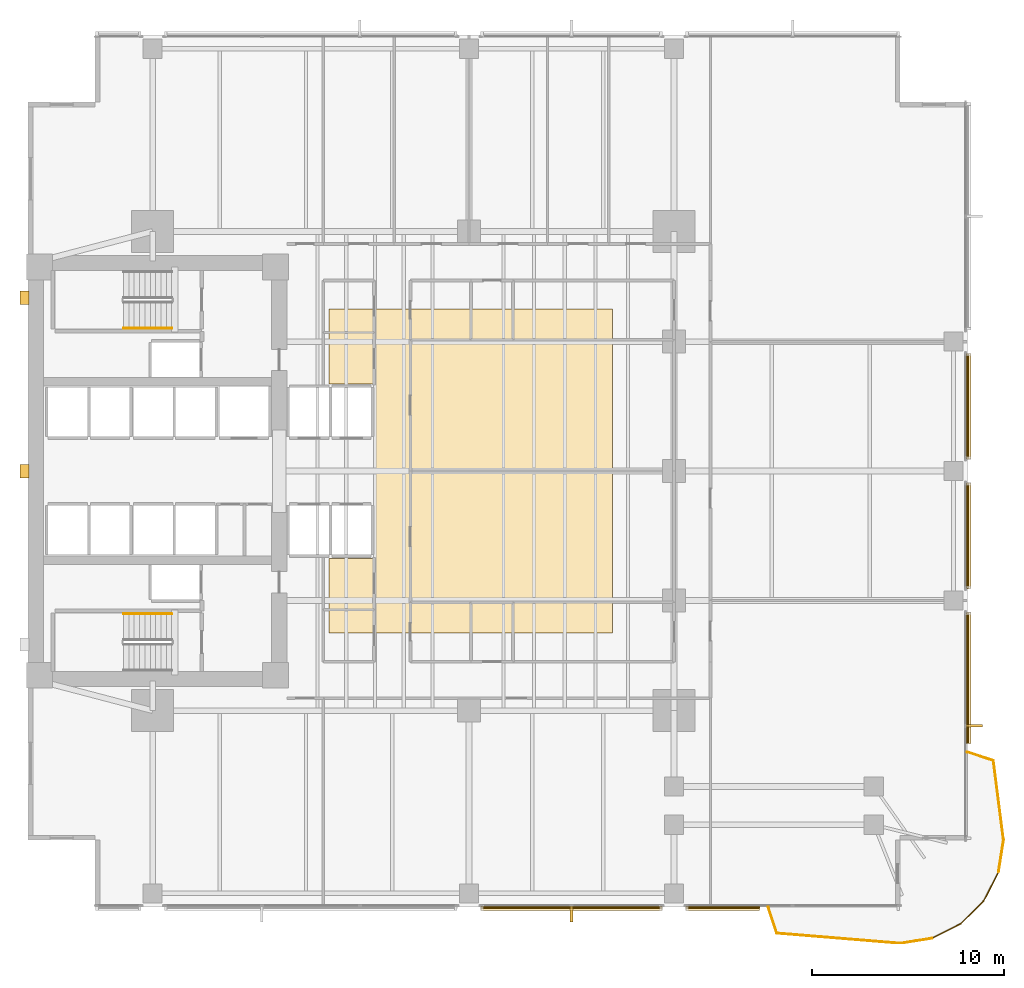
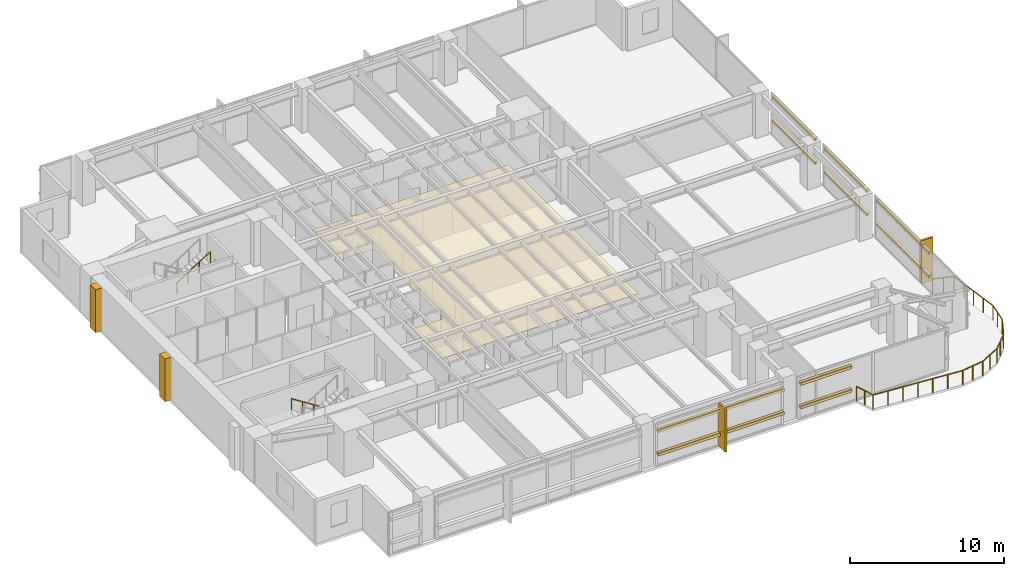
# One storey, part 13 of 15: 15 coverings, 11 railings, 10 shading devices.
"""IFC4 building model written with IfcOpenShell, lengths in metres."""

from ifc_helpers import new_model, si_unit, direction, frame, origin, origin_2d, place, context, subcontext, project, spatial, polyline, rectangle, circle, outline, extrude, material, layer, layer_set, material_profile, profile_set, type_object, element, save


model = new_model("IFC4")

# Units and contexts
model_context = context("Model", 3, precision=1e-05, world=origin(), true_north=direction((0.0, 1.0)))
body_context = subcontext(model_context, "Body", "Model", "MODEL_VIEW")
ifc_project = project(units=[si_unit("LENGTHUNIT", "METRE"), si_unit("AREAUNIT", "SQUARE_METRE"), si_unit("VOLUMEUNIT", "CUBIC_METRE"), si_unit("PLANEANGLEUNIT", "RADIAN"), si_unit("MASSUNIT", "GRAM", prefix="KILO")], contexts=[model_context])

# Site, building, storey
site_placement = place(None, origin())
site = spatial("IfcSite", under=ifc_project, at=site_placement, CompositionType="ELEMENT")
building_placement = place(site_placement, origin())
building = spatial("IfcBuilding", under=site, at=building_placement, Name="Kinhvarn Gate Tower", CompositionType="ELEMENT")
storey_placement = place(building_placement, frame((0.0, 0.0, 46.89990234375)))
storey = spatial("IfcBuildingStorey", under=building, at=storey_placement, Name="L11", CompositionType="ELEMENT", Elevation=46.89990234375)

# Coverings
ifc_material_1 = material(Name="Fired architectural terracotta", Category="masonry")
ifc_layer_1 = layer(ifc_material_1, 0.239990234375)
ifc_layer_set_1 = layer_set([ifc_layer_1], Name="Fired architectural terracotta")
covering_type_1 = type_object("IfcCoveringType", Name="COV-BAG-220", PredefinedType="CLADDING", material=ifc_layer_set_1)
for number, where, name in (
    (1, (0.0, 0.0, 0.940185546875), "Terracotta Horizontal Sunscreen Band TBG-220 (L11)"),
    (2, (0.0, 0.0, 2.81005859375), "Terracotta Horizontal Sunscreen Band TBG-220 (L11)"),
):
    element("IfcCovering", number, at=place(storey_placement, frame(where)), inside=storey, type_object=covering_type_1, Name=name, PredefinedType="CLADDING", context=body_context, shape_type="SweptSolid", body=[
        extrude(outline(polyline([(28.1201171875, 2.56005859375), (37.580078125, 2.56005859375), (37.580078125, 2.320068359375), (28.1201171875, 2.320068359375), (28.1201171875, 2.56005859375)])), origin(), (0.0, 0.0, 1.0), 0.219970703125),
    ])
for number, where, name in (
    (3, (0.0, 0.0, 0.940185546875), "Terracotta Horizontal Sunscreen Band TBG-220 (L11)"),
    (4, (0.0, 0.0, 2.81005859375), "Terracotta Horizontal Sunscreen Band TBG-220 (L11)"),
):
    element("IfcCovering", number, at=place(storey_placement, frame(where)), inside=storey, type_object=covering_type_1, Name=name, PredefinedType="CLADDING", context=body_context, shape_type="SweptSolid", body=[
        extrude(outline(polyline([(38.820068359375, 2.56005859375), (42.6640625, 2.56005859375), (42.6640625, 2.320068359375), (38.820068359375, 2.320068359375), (38.820068359375, 2.56005859375)])), origin(), (0.0, 0.0, 1.0), 0.219970703125),
    ])
for number, where, name in (
    (5, (0.0, 0.0, 0.940185546875), "Terracotta Horizontal Sunscreen Band TBG-220 (L11)"),
    (6, (0.0, 0.0, 2.81005859375), "Terracotta Horizontal Sunscreen Band TBG-220 (L11)"),
):
    element("IfcCovering", number, at=place(storey_placement, frame(where)), inside=storey, type_object=covering_type_1, Name=name, PredefinedType="CLADDING", context=body_context, shape_type="SweptSolid", body=[
        extrude(outline(polyline([(53.43994140625, 11.0400390625), (53.43994140625, 17.8798828125), (53.679931640625, 17.8798828125), (53.679931640625, 11.0400390625), (53.43994140625, 11.0400390625)])), origin(), (0.0, 0.0, 1.0), 0.219970703125),
    ])
for number, where, name in (
    (7, (0.0, 0.0, 0.940185546875), "Terracotta Horizontal Sunscreen Band TBG-220 (L11)"),
    (8, (0.0, 0.0, 2.81005859375), "Terracotta Horizontal Sunscreen Band TBG-220 (L11)"),
):
    element("IfcCovering", number, at=place(storey_placement, frame(where)), inside=storey, type_object=covering_type_1, Name=name, PredefinedType="CLADDING", context=body_context, shape_type="SweptSolid", body=[
        extrude(outline(polyline([(53.43994140625, 19.1201171875), (53.43994140625, 24.6298828125), (53.679931640625, 24.6298828125), (53.679931640625, 19.1201171875), (53.43994140625, 19.1201171875)])), origin(), (0.0, 0.0, 1.0), 0.219970703125),
    ])
for number, where, name in (
    (9, (0.0, 0.0, 0.940185546875), "Terracotta Horizontal Sunscreen Band TBG-220 (L11)"),
    (10, (0.0, 0.0, 2.81005859375), "Terracotta Horizontal Sunscreen Band TBG-220 (L11)"),
):
    element("IfcCovering", number, at=place(storey_placement, frame(where)), inside=storey, type_object=covering_type_1, Name=name, PredefinedType="CLADDING", context=body_context, shape_type="SweptSolid", body=[
        extrude(outline(polyline([(53.43994140625, 25.8701171875), (53.43994140625, 31.3798828125), (53.679931640625, 31.3798828125), (53.679931640625, 25.8701171875), (53.43994140625, 25.8701171875)])), origin(), (0.0, 0.0, 1.0), 0.219970703125),
    ])
ifc_material_2 = material(Name="Mineral-fibre acoustic ceiling tile")
ifc_layer_2 = layer(ifc_material_2, 0.02001953125)
ifc_layer_set_2 = layer_set([ifc_layer_2], Name="Mineral-fibre acoustic ceiling tile")
covering_type_2 = type_object("IfcCoveringType", Name="COV-CEIL-20", PredefinedType="CEILING", material=ifc_layer_set_2)
covering_1_placement = place(storey_placement, frame((0.0, 0.0, 2.650146484375)))
element("IfcCovering", 11, at=covering_1_placement, inside=storey, type_object=covering_type_2, Name="Suspended Acoustic Ceiling Tile (L11-1)", PredefinedType="CEILING", context=body_context, shape_type="SweptSolid", body=[
    extrude(outline(polyline([(35.0, 33.699951171875), (35.0, 16.800048828125), (20.199951171875, 16.800048828125), (20.199951171875, 20.699951171875), (22.60009765625, 20.699951171875), (22.60009765625, 29.800048828125), (20.199951171875, 29.800048828125), (20.199951171875, 33.699951171875), (35.0, 33.699951171875)])), origin(), (0.0, 0.0, 1.0), 0.02001953125),
])
ifc_layer_3 = layer(ifc_material_1, 0.139892578125)
ifc_layer_set_3 = layer_set([ifc_layer_3], Name="Fired architectural terracotta")
covering_type_3 = type_object("IfcCoveringType", Name="COV-FIN-850", PredefinedType="CLADDING", material=ifc_layer_set_3)
covering_2_placement = place(storey_placement, frame((0.0, 0.0, -0.02001953125)))
element("IfcCovering", 12, at=covering_2_placement, inside=storey, type_object=covering_type_3, Name="Vertical Terracotta Expressive Fin TFN-850 (L11)", PredefinedType="CLADDING", context=body_context, shape_type="SweptSolid", body=[
    extrude(outline(polyline([(32.780029296875, 2.570068359375), (32.919921875, 2.570068359375), (32.919921875, 1.719970703125), (32.780029296875, 1.719970703125), (32.780029296875, 2.570068359375)])), origin(), (0.0, 0.0, 1.0), 3.41015625),
])
covering_3_placement = place(storey_placement, frame((0.0, 0.0, -0.02001953125)))
element("IfcCovering", 13, at=covering_3_placement, inside=storey, type_object=covering_type_3, Name="Vertical Terracotta Expressive Fin TFN-850 (L11)", PredefinedType="CLADDING", context=body_context, shape_type="SweptSolid", body=[
    extrude(outline(polyline([(53.429931640625, 11.889892578125), (53.429931640625, 12.030029296875), (54.280029296875, 12.030029296875), (54.280029296875, 11.889892578125), (53.429931640625, 11.889892578125)])), origin(), (0.0, 0.0, 1.0), 3.41015625),
])
ifc_material_3 = material(Name="Precast white architectural concrete C40/50", Category="concrete")
ifc_layer_4 = layer(ifc_material_3, 0.47998046875)
ifc_layer_set_4 = layer_set([ifc_layer_4], Name="Precast white architectural concrete C40/50")
covering_type_4 = type_object("IfcCoveringType", Name="COV-RIB-450", PredefinedType="CLADDING", material=ifc_layer_set_4)
covering_4_placement = place(storey_placement, frame((0.0, 0.0, -0.02001953125)))
element("IfcCovering", 14, at=covering_4_placement, inside=storey, type_object=covering_type_4, Name="West Core Sculptural Concrete Relief Rib CRB-450 (L11)", PredefinedType="CLADDING", context=body_context, shape_type="SweptSolid", body=[
    extrude(outline(polyline([(4.080078125, 24.89990234375), (4.56005859375, 24.89990234375), (4.56005859375, 25.60009765625), (4.080078125, 25.60009765625), (4.080078125, 24.89990234375)])), origin(), (0.0, 0.0, 1.0), 3.41015625),
])
covering_5_placement = place(storey_placement, frame((0.0, 0.0, -0.02001953125)))
element("IfcCovering", 15, at=covering_5_placement, inside=storey, type_object=covering_type_4, Name="West Core Sculptural Concrete Relief Rib CRB-450 (L11)", PredefinedType="CLADDING", context=body_context, shape_type="SweptSolid", body=[
    extrude(outline(polyline([(4.080078125, 33.949951171875), (4.56005859375, 33.949951171875), (4.56005859375, 34.64990234375), (4.080078125, 34.64990234375), (4.080078125, 33.949951171875)])), origin(), (0.0, 0.0, 1.0), 3.41015625),
])

# Railings
ifc_material_4 = material(Name="Clear low-e double glazing", Category="glass")
railing_type_1 = type_object("IfcRailingType", Name="RL-BAL-1150", PredefinedType="BALUSTRADE", material=ifc_material_4)
railing_1_placement = place(storey_placement, frame((43.114013671875, 2.5, 0.0)))
element("IfcRailing", 16, at=railing_1_placement, inside=storey, type_object=railing_type_1, Name="S-Carve Balcony Guardrail Seg 1 (L11)", PredefinedType="BALUSTRADE", context=body_context, shape_type="SweptSolid", body=[
    extrude(circle(Radius=0.02392578125, at=origin_2d()), frame((0.0, 0.0, 1.1259765625), z_axis=(0.314079693842, -0.949396622027, 0.0), x_axis=(0.949396622027, 0.314079693842, 0.0)), (0.0, 0.0, 1.0), 1.4326171875),
    extrude(circle(Radius=0.02099609375, at=origin_2d()), origin(), (0.0, 0.0, 1.0), 1.101806640625),
    extrude(circle(Radius=0.02099609375, at=origin_2d()), frame((0.22509765625, -0.68017578125, 0.0)), (0.0, 0.0, 1.0), 1.101806640625),
    extrude(circle(Radius=0.02099609375, at=origin_2d()), frame((0.449951171875, -1.360107421875, 0.0)), (0.0, 0.0, 1.0), 1.101806640625),
])
railing_2_placement = place(storey_placement, frame((43.56396484375, 1.139892578125, 0.0)))
element("IfcRailing", 17, at=railing_2_placement, inside=storey, type_object=railing_type_1, Name="S-Carve Balcony Guardrail Seg 2 (L11)", PredefinedType="BALUSTRADE", context=body_context, shape_type="SweptSolid", body=[
    extrude(circle(Radius=0.02392578125, at=origin_2d()), frame((0.0, 0.0, 1.1259765625), z_axis=(0.996641556312, -0.081887778278, 0.0), x_axis=(0.081887778278, 0.996641556312, 0.0)), (0.0, 0.0, 1.0), 6.457763671875),
    extrude(circle(Radius=0.02099609375, at=origin_2d()), origin(), (0.0, 0.0, 1.0), 1.101806640625),
    extrude(circle(Radius=0.02099609375, at=origin_2d()), frame((1.07275390625, -0.088134765625, 0.0)), (0.0, 0.0, 1.0), 1.101806640625),
    extrude(circle(Radius=0.02099609375, at=origin_2d()), frame((2.145263671875, -0.17626953125, 0.0)), (0.0, 0.0, 1.0), 1.101806640625),
    extrude(circle(Radius=0.02099609375, at=origin_2d()), frame((3.218017578125, -0.264404296875, 0.0)), (0.0, 0.0, 1.0), 1.101806640625),
    extrude(circle(Radius=0.02099609375, at=origin_2d()), frame((4.290771484375, -0.3525390625, 0.0)), (0.0, 0.0, 1.0), 1.101806640625),
    extrude(circle(Radius=0.02099609375, at=origin_2d()), frame((5.36328125, -0.440673828125, 0.0)), (0.0, 0.0, 1.0), 1.101806640625),
    extrude(circle(Radius=0.02099609375, at=origin_2d()), frame((6.43603515625, -0.52880859375, 0.0)), (0.0, 0.0, 1.0), 1.101806640625),
])
railing_3_placement = place(storey_placement, frame((50.0, 0.611083984375, 0.0)))
element("IfcRailing", 18, at=railing_3_placement, inside=storey, type_object=railing_type_1, Name="S-Carve Balcony Guardrail Seg 3 (L11)", PredefinedType="BALUSTRADE", context=body_context, shape_type="SweptSolid", body=[
    extrude(circle(Radius=0.02392578125, at=origin_2d()), frame((0.0, 0.0, 1.1259765625), z_axis=(0.987695952288, 0.156386399131, 0.0), x_axis=(-0.156386399131, 0.987695952288, 0.0)), (0.0, 0.0, 1.0), 1.68603515625),
    extrude(circle(Radius=0.02099609375, at=origin_2d()), origin(), (0.0, 0.0, 1.0), 1.101806640625),
    extrude(circle(Radius=0.02099609375, at=origin_2d()), frame((0.83251953125, 0.1318359375, 0.0)), (0.0, 0.0, 1.0), 1.101806640625),
    extrude(circle(Radius=0.02099609375, at=origin_2d()), frame((1.665283203125, 0.263671875, 0.0)), (0.0, 0.0, 1.0), 1.101806640625),
])
railing_4_placement = place(storey_placement, frame((51.665283203125, 0.874755859375, 0.0)))
element("IfcRailing", 19, at=railing_4_placement, inside=storey, type_object=railing_type_1, Name="S-Carve Balcony Guardrail Seg 4 (L11)", PredefinedType="BALUSTRADE", context=body_context, shape_type="SweptSolid", body=[
    extrude(circle(Radius=0.02392578125, at=origin_2d()), frame((0.0, 0.0, 1.1259765625), z_axis=(0.891012972849, 0.453977843309, 0.0), x_axis=(-0.453977843309, 0.891012972849, 0.0)), (0.0, 0.0, 1.0), 1.68603515625),
    extrude(circle(Radius=0.02099609375, at=origin_2d()), origin(), (0.0, 0.0, 1.0), 1.101806640625),
    extrude(circle(Radius=0.02099609375, at=origin_2d()), frame((0.7509765625, 0.3828125, 0.0)), (0.0, 0.0, 1.0), 1.101806640625),
    extrude(circle(Radius=0.02099609375, at=origin_2d()), frame((1.502197265625, 0.765380859375, 0.0)), (0.0, 0.0, 1.0), 1.101806640625),
])
railing_5_placement = place(storey_placement, frame((53.16748046875, 1.64013671875, 0.0)))
element("IfcRailing", 20, at=railing_5_placement, inside=storey, type_object=railing_type_1, Name="S-Carve Balcony Guardrail Seg 5 (L11)", PredefinedType="BALUSTRADE", context=body_context, shape_type="SweptSolid", body=[
    extrude(circle(Radius=0.02392578125, at=origin_2d()), frame((0.0, 0.0, 1.1259765625), z_axis=(0.707106781187, 0.707106781187, 0.0), x_axis=(-0.707106781187, 0.707106781187, 0.0)), (0.0, 0.0, 1.0), 1.686279296875),
    extrude(circle(Radius=0.02099609375, at=origin_2d()), origin(), (0.0, 0.0, 1.0), 1.101806640625),
    extrude(circle(Radius=0.02099609375, at=origin_2d()), frame((0.59619140625, 0.59619140625, 0.0)), (0.0, 0.0, 1.0), 1.101806640625),
    extrude(circle(Radius=0.02099609375, at=origin_2d()), frame((1.1923828125, 1.1923828125, 0.0)), (0.0, 0.0, 1.0), 1.101806640625),
])
railing_6_placement = place(storey_placement, frame((54.35986328125, 2.83251953125, 0.0)))
element("IfcRailing", 21, at=railing_6_placement, inside=storey, type_object=railing_type_1, Name="S-Carve Balcony Guardrail Seg 6 (L11)", PredefinedType="BALUSTRADE", context=body_context, shape_type="SweptSolid", body=[
    extrude(circle(Radius=0.02392578125, at=origin_2d()), frame((0.0, 0.0, 1.1259765625), z_axis=(0.453977843309, 0.891012972849, 0.0), x_axis=(-0.891012972849, 0.453977843309, 0.0)), (0.0, 0.0, 1.0), 1.68603515625),
    extrude(circle(Radius=0.02099609375, at=origin_2d()), origin(), (0.0, 0.0, 1.0), 1.101806640625),
    extrude(circle(Radius=0.02099609375, at=origin_2d()), frame((0.3828125, 0.7509765625, 0.0)), (0.0, 0.0, 1.0), 1.101806640625),
    extrude(circle(Radius=0.02099609375, at=origin_2d()), frame((0.765380859375, 1.502197265625, 0.0)), (0.0, 0.0, 1.0), 1.101806640625),
])
railing_7_placement = place(storey_placement, frame((55.125244140625, 4.334716796875, 0.0)))
element("IfcRailing", 22, at=railing_7_placement, inside=storey, type_object=railing_type_1, Name="S-Carve Balcony Guardrail Seg 7 (L11)", PredefinedType="BALUSTRADE", context=body_context, shape_type="SweptSolid", body=[
    extrude(circle(Radius=0.02392578125, at=origin_2d()), frame((0.0, 0.0, 1.1259765625), z_axis=(0.156386399131, 0.987695952288, 0.0), x_axis=(-0.987695952288, 0.156386399131, 0.0)), (0.0, 0.0, 1.0), 1.68603515625),
    extrude(circle(Radius=0.02099609375, at=origin_2d()), origin(), (0.0, 0.0, 1.0), 1.101806640625),
    extrude(circle(Radius=0.02099609375, at=origin_2d()), frame((0.1318359375, 0.83251953125, 0.0)), (0.0, 0.0, 1.0), 1.101806640625),
    extrude(circle(Radius=0.02099609375, at=origin_2d()), frame((0.263671875, 1.665283203125, 0.0)), (0.0, 0.0, 1.0), 1.101806640625),
])
railing_8_placement = place(storey_placement, frame((55.388916015625, 6.0, 0.0)))
element("IfcRailing", 23, at=railing_8_placement, inside=storey, type_object=railing_type_1, Name="S-Carve Balcony Guardrail Seg 8 (L11)", PredefinedType="BALUSTRADE", context=body_context, shape_type="SweptSolid", body=[
    extrude(circle(Radius=0.02392578125, at=origin_2d()), frame((0.0, 0.0, 1.1259765625), z_axis=(-0.12670536644, 0.991940396453, 0.0), x_axis=(-0.991940396453, -0.12670536644, 0.0)), (0.0, 0.0, 1.0), 4.173583984375),
    extrude(circle(Radius=0.02099609375, at=origin_2d()), origin(), (0.0, 0.0, 1.0), 1.101806640625),
    extrude(circle(Radius=0.02099609375, at=origin_2d()), frame((-0.13232421875, 1.034912109375, 0.0)), (0.0, 0.0, 1.0), 1.101806640625),
    extrude(circle(Radius=0.02099609375, at=origin_2d()), frame((-0.264404296875, 2.06982421875, 0.0)), (0.0, 0.0, 1.0), 1.101806640625),
    extrude(circle(Radius=0.02099609375, at=origin_2d()), frame((-0.396484375, 3.10498046875, 0.0)), (0.0, 0.0, 1.0), 1.101806640625),
    extrude(circle(Radius=0.02099609375, at=origin_2d()), frame((-0.52880859375, 4.139892578125, 0.0)), (0.0, 0.0, 1.0), 1.101806640625),
])
railing_9_placement = place(storey_placement, frame((54.860107421875, 10.139892578125, 0.0)))
element("IfcRailing", 24, at=railing_9_placement, inside=storey, type_object=railing_type_1, Name="S-Carve Balcony Guardrail Seg 9 (L11)", PredefinedType="BALUSTRADE", context=body_context, shape_type="SweptSolid", body=[
    extrude(circle(Radius=0.02392578125, at=origin_2d()), frame((0.0, 0.0, 1.1259765625), z_axis=(-0.949345796136, 0.314233288113, 0.0), x_axis=(-0.314233288113, -0.949345796136, 0.0)), (0.0, 0.0, 1.0), 1.4326171875),
    extrude(circle(Radius=0.02099609375, at=origin_2d()), origin(), (0.0, 0.0, 1.0), 1.101806640625),
    extrude(circle(Radius=0.02099609375, at=origin_2d()), frame((-0.68017578125, 0.22509765625, 0.0)), (0.0, 0.0, 1.0), 1.101806640625),
    extrude(circle(Radius=0.02099609375, at=origin_2d()), frame((-1.360107421875, 0.4501953125, 0.0)), (0.0, 0.0, 1.0), 1.101806640625),
])
ifc_material_5 = material(Name="Steel S355", Category="steel")
railing_type_2 = type_object("IfcRailingType", Name="RL-ST-HND", PredefinedType="HANDRAIL", material=ifc_material_5)
railing_10_placement = place(storey_placement, frame((12.0, 17.800048828125, 0.177490234375)))
element("IfcRailing", 25, at=railing_10_placement, inside=storey, type_object=railing_type_2, Name="L11 ST1 stair handrail 1", PredefinedType="HANDRAIL", context=body_context, shape_type="SweptSolid", body=[
    extrude(circle(Radius=0.02392578125, at=origin_2d()), frame((0.0, 0.0, 0.8759765625), z_axis=(-0.84456994832, 0.0, 0.535445237532), x_axis=(0.0, -1.0, 0.0)), (0.0, 0.0, 1.0), 2.98388671875),
    extrude(circle(Radius=0.02099609375, at=origin_2d()), origin(), (0.0, 0.0, 1.0), 0.851806640625),
    extrude(circle(Radius=0.02099609375, at=origin_2d()), frame((-0.840087890625, 0.0, 0.532470703125)), (0.0, 0.0, 1.0), 0.851806640625),
    extrude(circle(Radius=0.02099609375, at=origin_2d()), frame((-1.679931640625, 0.0, 1.065185546875)), (0.0, 0.0, 1.0), 0.851806640625),
    extrude(circle(Radius=0.02099609375, at=origin_2d()), frame((-2.52001953125, 0.0, 1.59765625)), (0.0, 0.0, 1.0), 0.851806640625),
])
railing_11_placement = place(storey_placement, frame((9.47998046875, 32.699951171875, 1.95263671875)))
element("IfcRailing", 26, at=railing_11_placement, inside=storey, type_object=railing_type_2, Name="L11 ST2 stair handrail 2", PredefinedType="HANDRAIL", context=body_context, shape_type="SweptSolid", body=[
    extrude(circle(Radius=0.02392578125, at=origin_2d()), frame((0.0, 0.0, 0.8759765625), z_axis=(0.84460694969, 0.0, 0.535386869969), x_axis=(0.0, 1.0, 0.0)), (0.0, 0.0, 1.0), 2.983642578125),
    extrude(circle(Radius=0.02099609375, at=origin_2d()), origin(), (0.0, 0.0, 1.0), 0.851806640625),
    extrude(circle(Radius=0.02099609375, at=origin_2d()), frame((0.840087890625, 0.0, 0.532470703125)), (0.0, 0.0, 1.0), 0.851806640625),
    extrude(circle(Radius=0.02099609375, at=origin_2d()), frame((1.679931640625, 0.0, 1.06494140625)), (0.0, 0.0, 1.0), 0.851806640625),
    extrude(circle(Radius=0.02099609375, at=origin_2d()), frame((2.52001953125, 0.0, 1.597412109375)), (0.0, 0.0, 1.0), 0.851806640625),
])

# Shading devices
ifc_material_profile = material_profile(ifc_material_1, rectangle(XDim=0.06005859375, YDim=0.139892578125, at=origin_2d()), Name="TC 60x140")
ifc_profile_set = profile_set([ifc_material_profile], Name="Fired architectural terracotta")
shading_device_type = type_object("IfcShadingDeviceType", Name="SHD-BAG-180", PredefinedType="USERDEFINED", material=ifc_profile_set)
for number, where, z_axis, x_axis, name in (
    (27, (28.1201171875, 2.485107421875, 1.050048828125), (1.0, 0.0, 0.0), (0.0, 1.0, 0.0), "Fired Terracotta Baguette Screen Rod 60x140 mm (L11)"),
    (28, (28.1201171875, 2.485107421875, 2.920166015625), (1.0, 0.0, 0.0), (0.0, 1.0, 0.0), "Fired Terracotta Baguette Screen Rod 60x140 mm (L11)"),
):
    element("IfcShadingDevice", number, at=place(storey_placement, frame(where, z_axis=z_axis, x_axis=x_axis)), inside=storey, type_object=shading_device_type, Name=name, ObjectType="BAGUETTE", PredefinedType="USERDEFINED", context=body_context, shape_type="SweptSolid", body=[
        extrude(rectangle(XDim=0.06005859375, YDim=0.139892578125, at=origin_2d()), origin(), (0.0, 0.0, 1.0), 9.4599609375),
    ])
for number, where, z_axis, x_axis, name in (
    (29, (38.820068359375, 2.485107421875, 1.050048828125), (1.0, 0.0, 0.0), (0.0, 1.0, 0.0), "Fired Terracotta Baguette Screen Rod 60x140 mm (L11)"),
    (30, (38.820068359375, 2.485107421875, 2.920166015625), (1.0, 0.0, 0.0), (0.0, 1.0, 0.0), "Fired Terracotta Baguette Screen Rod 60x140 mm (L11)"),
):
    element("IfcShadingDevice", number, at=place(storey_placement, frame(where, z_axis=z_axis, x_axis=x_axis)), inside=storey, type_object=shading_device_type, Name=name, ObjectType="BAGUETTE", PredefinedType="USERDEFINED", context=body_context, shape_type="SweptSolid", body=[
        extrude(rectangle(XDim=0.06005859375, YDim=0.139892578125, at=origin_2d()), origin(), (0.0, 0.0, 1.0), 3.843994140625),
    ])
for number, where, z_axis, x_axis, name in (
    (31, (53.514892578125, 11.0400390625, 1.050048828125), (0.0, 1.0, 0.0), (-1.0, 0.0, 0.0), "Fired Terracotta Baguette Screen Rod 60x140 mm (L11)"),
    (32, (53.514892578125, 11.0400390625, 2.920166015625), (0.0, 1.0, 0.0), (-1.0, 0.0, 0.0), "Fired Terracotta Baguette Screen Rod 60x140 mm (L11)"),
):
    element("IfcShadingDevice", number, at=place(storey_placement, frame(where, z_axis=z_axis, x_axis=x_axis)), inside=storey, type_object=shading_device_type, Name=name, ObjectType="BAGUETTE", PredefinedType="USERDEFINED", context=body_context, shape_type="SweptSolid", body=[
        extrude(rectangle(XDim=0.06005859375, YDim=0.139892578125, at=origin_2d()), origin(), (0.0, 0.0, 1.0), 6.83984375),
    ])
for number, where, z_axis, x_axis, name in (
    (33, (53.514892578125, 19.1201171875, 1.050048828125), (0.0, 1.0, 0.0), (-1.0, 0.0, 0.0), "Fired Terracotta Baguette Screen Rod 60x140 mm (L11)"),
    (34, (53.514892578125, 19.1201171875, 2.920166015625), (0.0, 1.0, 0.0), (-1.0, 0.0, 0.0), "Fired Terracotta Baguette Screen Rod 60x140 mm (L11)"),
    (35, (53.514892578125, 25.8701171875, 1.050048828125), (0.0, 1.0, 0.0), (-1.0, 0.0, 0.0), "Fired Terracotta Baguette Screen Rod 60x140 mm (L11)"),
    (36, (53.514892578125, 25.8701171875, 2.920166015625), (0.0, 1.0, 0.0), (-1.0, 0.0, 0.0), "Fired Terracotta Baguette Screen Rod 60x140 mm (L11)"),
):
    element("IfcShadingDevice", number, at=place(storey_placement, frame(where, z_axis=z_axis, x_axis=x_axis)), inside=storey, type_object=shading_device_type, Name=name, ObjectType="BAGUETTE", PredefinedType="USERDEFINED", context=body_context, shape_type="SweptSolid", body=[
        extrude(rectangle(XDim=0.06005859375, YDim=0.139892578125, at=origin_2d()), origin(), (0.0, 0.0, 1.0), 5.509765625),
    ])

save(model, "model.ifc")
